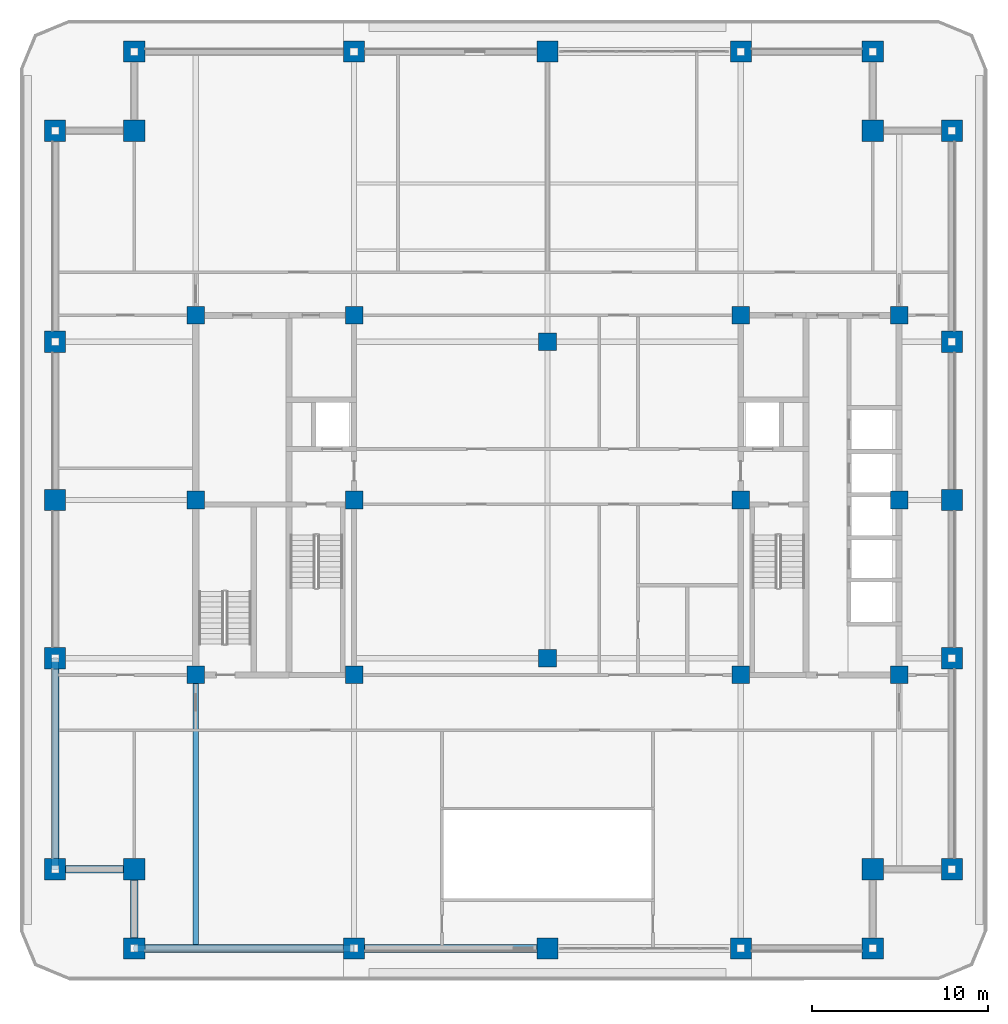
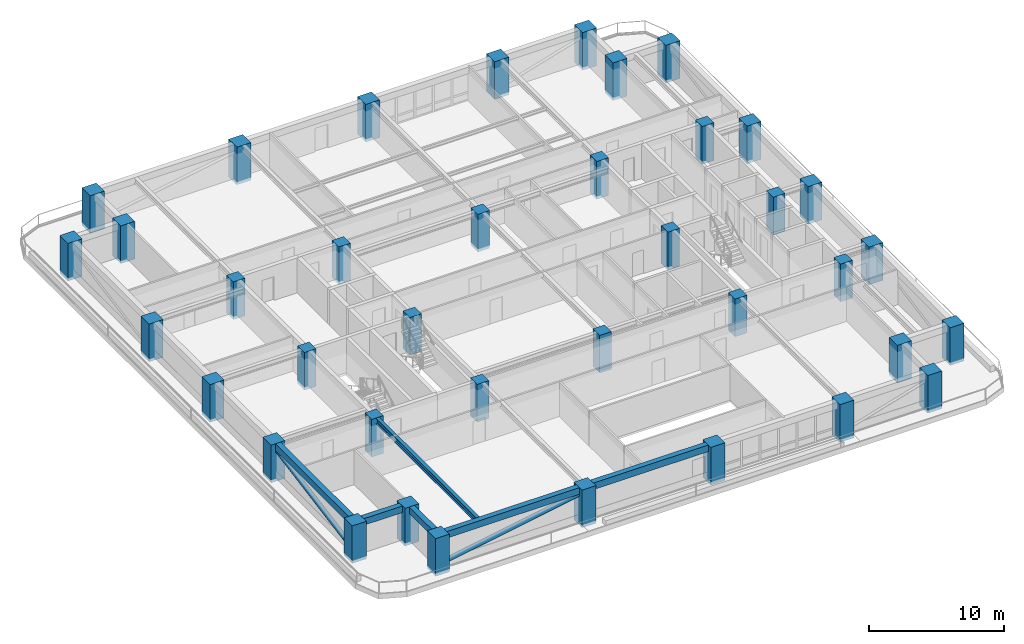
# One storey, part 1 of 17: 38 columns, 6 beams, 2 members.
"""IFC4 building model written with IfcOpenShell, lengths in metres."""

from ifc_helpers import new_model, si_unit, direction, frame, origin, origin_2d, place, context, subcontext, project, spatial, rectangle, hollow_circle, i_section, extrude, material, material_profile, profile_set, type_object, element, save


model = new_model("IFC4")

# Units and contexts
model_context = context("Model", 3, precision=1e-05, world=origin(), true_north=direction((0.0, 1.0)))
body_context = subcontext(model_context, "Body", "Model", "MODEL_VIEW")
ifc_project = project(units=[si_unit("LENGTHUNIT", "METRE"), si_unit("AREAUNIT", "SQUARE_METRE"), si_unit("VOLUMEUNIT", "CUBIC_METRE"), si_unit("PLANEANGLEUNIT", "RADIAN"), si_unit("MASSUNIT", "GRAM", prefix="KILO")], contexts=[model_context])

# Site, building, storey
site_placement = place(None, origin())
site = spatial("IfcSite", under=ifc_project, at=site_placement, CompositionType="ELEMENT")
building_placement = place(site_placement, origin())
building = spatial("IfcBuilding", under=site, at=building_placement, Name="Zulmaris Gate Convention Tower", CompositionType="ELEMENT")
storey_placement = place(building_placement, frame((0.0, 0.0, 149.909912109375)))
storey = spatial("IfcBuildingStorey", under=building, at=storey_placement, Name="L38", CompositionType="ELEMENT", Elevation=149.909912109375)

# Columns
ifc_material_1 = material(Name="Concrete C60/75", Category="concrete")
ifc_material_profile_1 = material_profile(ifc_material_1, rectangle(XDim=1.0, YDim=1.0, at=origin_2d()), Name="RC COL 1000x1000")
ifc_profile_set_1 = profile_set([ifc_material_profile_1], Name="Concrete C60/75")
column_type_1 = type_object("IfcColumnType", Name="COL-RC1000", PredefinedType="COLUMN", material=ifc_profile_set_1)
for number, where, z_axis, x_axis, name in (
    (1, (-20.0, -9.949951171875, -0.25), (0.0, 0.0, 1.0), (1.0, 0.0, 0.0), "L38 Column IN--20.00_-9.95"),
    (2, (-20.0, 10.5, -0.25), (0.0, 0.0, 1.0), (1.0, 0.0, 0.0), "L38 Column IN--20.00_+10.50"),
    (3, (-11.0, -9.949951171875, -0.25), (0.0, 0.0, 1.0), (1.0, 0.0, 0.0), "L38 Column IN--11.00_-9.95"),
    (4, (-11.0, 0.0, -0.25), (0.0, 0.0, 1.0), (1.0, 0.0, 0.0), "L38 Column IN--11.00_+0.00"),
    (5, (-11.0, 10.5, -0.25), (0.0, 0.0, 1.0), (1.0, 0.0, 0.0), "L38 Column IN--11.00_+10.50"),
    (6, (11.0, -9.949951171875, -0.25), (0.0, 0.0, 1.0), (1.0, 0.0, 0.0), "L38 Column IN-+11.00_-9.95"),
    (7, (11.0, 0.0, -0.25), (0.0, 0.0, 1.0), (1.0, 0.0, 0.0), "L38 Column IN-+11.00_+0.00"),
    (8, (11.0, 10.5, -0.25), (0.0, 0.0, 1.0), (1.0, 0.0, 0.0), "L38 Column IN-+11.00_+10.50"),
    (9, (20.0, -9.949951171875, -0.25), (0.0, 0.0, 1.0), (1.0, 0.0, 0.0), "L38 Column IN-+20.00_-9.95"),
    (10, (20.0, 10.5, -0.25), (0.0, 0.0, 1.0), (1.0, 0.0, 0.0), "L38 Column IN-+20.00_+10.50"),
    (11, (0.0, -9.0, -0.25), (0.0, 0.0, 1.0), (1.0, 0.0, 0.0), "L38 Column IN-+0.00_-9.00"),
    (12, (0.0, 9.0, -0.25), (0.0, 0.0, 1.0), (1.0, 0.0, 0.0), "L38 Column IN-+0.00_+9.00"),
    (13, (-20.0, 0.0, -0.25), (0.0, 0.0, 1.0), (1.0, 0.0, 0.0), "L38 Column IN--20.00_+0.00"),
    (14, (20.0, 0.0, -0.25), (0.0, 0.0, 1.0), (1.0, 0.0, 0.0), "L38 Column IN-+20.00_+0.00"),
):
    element("IfcColumn", number, at=place(storey_placement, frame(where, z_axis=z_axis, x_axis=x_axis)), inside=storey, type_object=column_type_1, Name=name, PredefinedType="COLUMN", context=body_context, shape_type="SweptSolid", body=[
        extrude(rectangle(XDim=1.0, YDim=1.0, at=origin_2d()), origin(), (0.0, 0.0, 1.0), 3.39501953125),
    ])
ifc_material_2 = material(Name="Concrete C70/85", Category="concrete")
ifc_material_profile_2 = material_profile(ifc_material_2, rectangle(XDim=1.199951171875, YDim=1.199951171875, at=origin_2d()), Name="RC COL 1200x1200")
ifc_profile_set_2 = profile_set([ifc_material_profile_2], Name="Concrete C70/85")
column_type_2 = type_object("IfcColumnType", Name="COL-RC1200", PredefinedType="COLUMN", material=ifc_profile_set_2)
for number, where, z_axis, x_axis, name in (
    (15, (-23.5, -25.5, -0.25), (0.0, 0.0, 1.0), (1.0, 0.0, 0.0), "L38 Column PT--23.50_-25.50"),
    (16, (-11.0, -25.5, -0.25), (0.0, 0.0, 1.0), (1.0, 0.0, 0.0), "L38 Column PT--11.00_-25.50"),
    (17, (0.0, -25.5, -0.25), (0.0, 0.0, 1.0), (1.0, 0.0, 0.0), "L38 Column PT-+0.00_-25.50"),
    (18, (11.0, -25.5, -0.25), (0.0, 0.0, 1.0), (1.0, 0.0, 0.0), "L38 Column PT-+11.00_-25.50"),
    (19, (18.5, -25.5, -0.25), (0.0, 0.0, 1.0), (1.0, 0.0, 0.0), "L38 Column PT-+18.50_-25.50"),
    (20, (-23.5, 25.5, -0.25), (0.0, 0.0, 1.0), (1.0, 0.0, 0.0), "L38 Column PT--23.50_+25.50"),
    (21, (-11.0, 25.5, -0.25), (0.0, 0.0, 1.0), (1.0, 0.0, 0.0), "L38 Column PT--11.00_+25.50"),
    (22, (0.0, 25.5, -0.25), (0.0, 0.0, 1.0), (1.0, 0.0, 0.0), "L38 Column PT-+0.00_+25.50"),
    (23, (11.0, 25.5, -0.25), (0.0, 0.0, 1.0), (1.0, 0.0, 0.0), "L38 Column PT-+11.00_+25.50"),
    (24, (18.5, 25.5, -0.25), (0.0, 0.0, 1.0), (1.0, 0.0, 0.0), "L38 Column PT-+18.50_+25.50"),
    (25, (-28.0, -21.0, -0.25), (0.0, 0.0, 1.0), (1.0, 0.0, 0.0), "L38 Column PT--28.00_-21.00"),
    (26, (-28.0, -9.0, -0.25), (0.0, 0.0, 1.0), (1.0, 0.0, 0.0), "L38 Column PT--28.00_-9.00"),
    (27, (-28.0, 0.0, -0.25), (0.0, 0.0, 1.0), (1.0, 0.0, 0.0), "L38 Column PT--28.00_+0.00"),
    (28, (-28.0, 9.0, -0.25), (0.0, 0.0, 1.0), (1.0, 0.0, 0.0), "L38 Column PT--28.00_+9.00"),
    (29, (-28.0, 21.0, -0.25), (0.0, 0.0, 1.0), (1.0, 0.0, 0.0), "L38 Column PT--28.00_+21.00"),
    (30, (23.0, -21.0, -0.25), (0.0, 0.0, 1.0), (1.0, 0.0, 0.0), "L38 Column PT-+23.00_-21.00"),
    (31, (23.0, -9.0, -0.25), (0.0, 0.0, 1.0), (1.0, 0.0, 0.0), "L38 Column PT-+23.00_-9.00"),
    (32, (23.0, 0.0, -0.25), (0.0, 0.0, 1.0), (1.0, 0.0, 0.0), "L38 Column PT-+23.00_+0.00"),
    (33, (23.0, 9.0, -0.25), (0.0, 0.0, 1.0), (1.0, 0.0, 0.0), "L38 Column PT-+23.00_+9.00"),
    (34, (23.0, 21.0, -0.25), (0.0, 0.0, 1.0), (1.0, 0.0, 0.0), "L38 Column PT-+23.00_+21.00"),
    (35, (-23.5, -21.0, -0.25), (0.0, 0.0, 1.0), (1.0, 0.0, 0.0), "L38 Column PT--23.50_-21.00"),
    (36, (18.5, -21.0, -0.25), (0.0, 0.0, 1.0), (1.0, 0.0, 0.0), "L38 Column PT-+18.50_-21.00"),
    (37, (18.5, 21.0, -0.25), (0.0, 0.0, 1.0), (1.0, 0.0, 0.0), "L38 Column PT-+18.50_+21.00"),
    (38, (-23.5, 21.0, -0.25), (0.0, 0.0, 1.0), (1.0, 0.0, 0.0), "L38 Column PT--23.50_+21.00"),
):
    element("IfcColumn", number, at=place(storey_placement, frame(where, z_axis=z_axis, x_axis=x_axis)), inside=storey, type_object=column_type_2, Name=name, PredefinedType="COLUMN", context=body_context, shape_type="SweptSolid", body=[
        extrude(rectangle(XDim=1.199951171875, YDim=1.199951171875, at=origin_2d()), origin(), (0.0, 0.0, 1.0), 3.39501953125),
    ])

# Beams
ifc_material_3 = material(Name="Steel S355", Category="steel")
ifc_material_profile_3 = material_profile(ifc_material_3, i_section(OverallWidth=0.300048828125, OverallDepth=0.5, WebThickness=0.014404296875, FlangeThickness=0.028076171875, FilletRadius=0.027099609375, at=origin_2d()), Name="HEB 500")
ifc_profile_set_3 = profile_set([ifc_material_profile_3], Name="Steel S355")
beam_type_1 = type_object("IfcBeamType", Name="BM-HEB500", PredefinedType="BEAM", material=ifc_profile_set_3)
beam_1_placement = place(storey_placement, frame((-20.0, -25.5, 2.89306640625), z_axis=(0.0, 1.0, 0.0), x_axis=(-1.0, 0.0, 0.0)))
element("IfcBeam", 39, at=beam_1_placement, inside=storey, type_object=beam_type_1, Name="L38 Beam BM-L38-G12", PredefinedType="BEAM", context=body_context, shape_type="SweptSolid", body=[
    extrude(i_section(OverallWidth=0.300048828125, OverallDepth=0.5, WebThickness=0.014404296875, FlangeThickness=0.028076171875, FilletRadius=0.027099609375, at=origin_2d()), origin(), (0.0, 0.0, 1.0), 15.550048828125),
])
ifc_material_4 = material(Name="Precast concrete C50/60", Category="concrete")
ifc_material_profile_4 = material_profile(ifc_material_4, rectangle(XDim=0.449951171875, YDim=0.60009765625, at=origin_2d()), Name="RC SPANDREL 450x600")
ifc_profile_set_4 = profile_set([ifc_material_profile_4], Name="Precast concrete C50/60")
beam_type_2 = type_object("IfcBeamType", Name="BM-SP450x600", PredefinedType="SPANDREL", material=ifc_profile_set_4)
beam_2_placement = place(storey_placement, frame((-23.5, -25.5, 2.844970703125), z_axis=(1.0, 0.0, 0.0), x_axis=(0.0, 1.0, 0.0)))
element("IfcBeam", 40, at=beam_2_placement, inside=storey, type_object=beam_type_2, Name="L38 Spandrel SP-L38-01", PredefinedType="SPANDREL", context=body_context, shape_type="SweptSolid", body=[
    extrude(rectangle(XDim=0.449951171875, YDim=0.60009765625, at=origin_2d()), origin(), (0.0, 0.0, 1.0), 12.5),
])
beam_3_placement = place(storey_placement, frame((-11.0, -25.5, 2.844970703125), z_axis=(1.0, 0.0, 0.0), x_axis=(0.0, 1.0, 0.0)))
element("IfcBeam", 41, at=beam_3_placement, inside=storey, type_object=beam_type_2, Name="L38 Spandrel SP-L38-02", PredefinedType="SPANDREL", context=body_context, shape_type="SweptSolid", body=[
    extrude(rectangle(XDim=0.449951171875, YDim=0.60009765625, at=origin_2d()), origin(), (0.0, 0.0, 1.0), 11.0),
])
beam_4_placement = place(storey_placement, frame((-28.0, -9.0, 2.844970703125), z_axis=(0.0, -1.0, 0.0), x_axis=(1.0, 0.0, 0.0)))
element("IfcBeam", 42, at=beam_4_placement, inside=storey, type_object=beam_type_2, Name="L38 Spandrel SP-L38-22", PredefinedType="SPANDREL", context=body_context, shape_type="SweptSolid", body=[
    extrude(rectangle(XDim=0.449951171875, YDim=0.60009765625, at=origin_2d()), origin(), (0.0, 0.0, 1.0), 12.0),
])
for number, where, z_axis, x_axis, name in (
    (43, (-28.0, -21.0, 2.844970703125), (1.0, 0.0, 0.0), (0.0, 1.0, 0.0), "L38 Spandrel SP-L38-23"),
    (44, (-23.5, -21.0, 2.844970703125), (0.0, -1.0, 0.0), (1.0, 0.0, 0.0), "L38 Spandrel SP-L38-24"),
):
    element("IfcBeam", number, at=place(storey_placement, frame(where, z_axis=z_axis, x_axis=x_axis)), inside=storey, type_object=beam_type_2, Name=name, PredefinedType="SPANDREL", context=body_context, shape_type="SweptSolid", body=[
        extrude(rectangle(XDim=0.449951171875, YDim=0.60009765625, at=origin_2d()), origin(), (0.0, 0.0, 1.0), 4.5),
    ])

# Members
ifc_material_5 = material(Name="Steel S460", Category="steel")
ifc_material_profile_5 = material_profile(ifc_material_5, hollow_circle(Radius=0.203125, WallThickness=0.02001953125, at=origin_2d()), Name="CHS 406.4x20")
ifc_profile_set_5 = profile_set([ifc_material_profile_5], Name="Steel S460")
member_type = type_object("IfcMemberType", Name="BR-CHS406", PredefinedType="BRACE", material=ifc_profile_set_5)
member_1_placement = place(storey_placement, frame((-28.0, -21.0, 0.300048828125), z_axis=(0.0, 0.983239794961, 0.182317046942), x_axis=(-1.0, 0.0, 0.0)))
element("IfcMember", 45, at=member_1_placement, inside=storey, type_object=member_type, Name="L38 Perimeter Tube Diagonal SW-W", PredefinedType="BRACE", context=body_context, shape_type="SweptSolid", body=[
    extrude(hollow_circle(Radius=0.203125, WallThickness=0.02001953125, at=origin_2d()), origin(), (0.0, 0.0, 1.0), 12.20458984375),
])
member_2_placement = place(storey_placement, frame((-23.5, -25.5, 0.300048828125), z_axis=(0.984523454661, 0.0, 0.175252866519), x_axis=(0.0, 1.0, 0.0)))
element("IfcMember", 46, at=member_2_placement, inside=storey, type_object=member_type, Name="L38 Perimeter Tube Diagonal SW-S", PredefinedType="BRACE", context=body_context, shape_type="SweptSolid", body=[
    extrude(hollow_circle(Radius=0.203125, WallThickness=0.02001953125, at=origin_2d()), origin(), (0.0, 0.0, 1.0), 12.696533203125),
])

save(model, "model.ifc")
